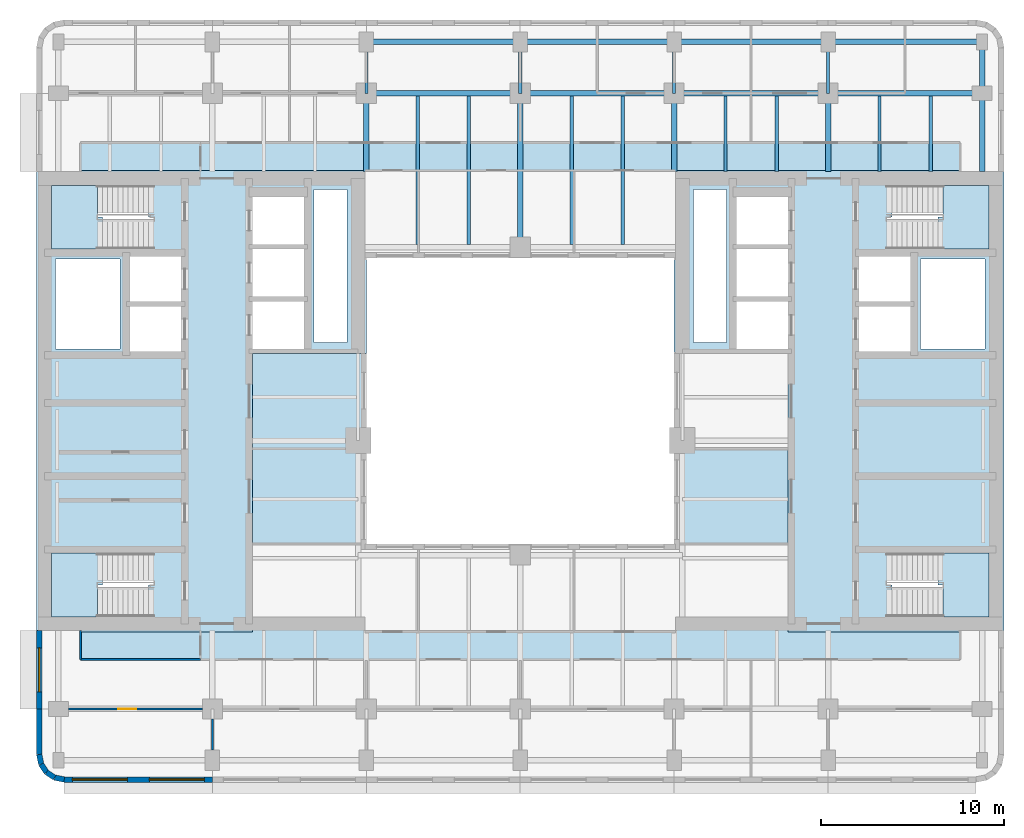
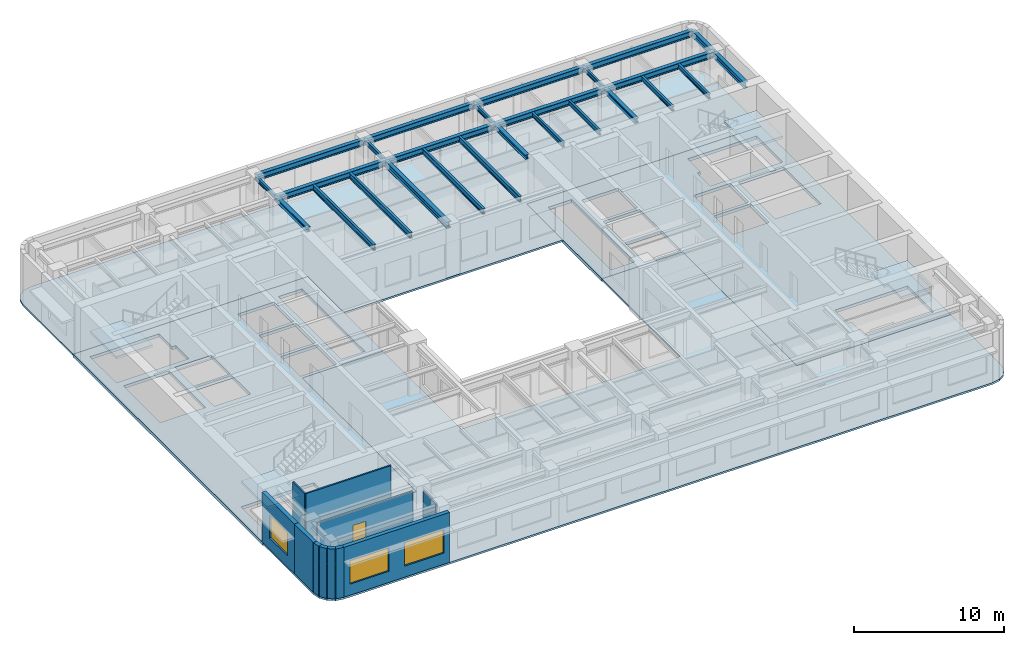
# One storey, part 2 of 12: 26 beams, 11 walls, 8 slabs, 3 windows, 1 door, 4 openings, 4 elements without a shape of their own.
"""IFC4 building model written with IfcOpenShell, lengths in metres."""

from ifc_helpers import new_model, si_unit, direction, frame, frame_2d, origin, origin_2d, place, context, subcontext, project, spatial, polyline, rectangle, i_section, outline, extrude, material, layer, layer_set, material_profile, profile_set, type_object, element, fill, aggregate, save


model = new_model("IFC4")

# Units and contexts
model_context = context("Model", 3, precision=1e-05, world=origin(), true_north=direction((0.0, 1.0)))
body_context = subcontext(model_context, "Body", "Model", "MODEL_VIEW")
ifc_project = project(units=[si_unit("LENGTHUNIT", "METRE"), si_unit("AREAUNIT", "SQUARE_METRE"), si_unit("VOLUMEUNIT", "CUBIC_METRE"), si_unit("PLANEANGLEUNIT", "RADIAN"), si_unit("MASSUNIT", "GRAM", prefix="KILO")], contexts=[model_context])

# Site, building, storey
site_placement = place(None, origin())
site = spatial("IfcSite", under=ifc_project, at=site_placement, CompositionType="ELEMENT")
building_placement = place(site_placement, origin())
building = spatial("IfcBuilding", under=site, at=building_placement, Name="Claustro Exchange Tower", CompositionType="ELEMENT")
storey_placement = place(building_placement, frame((0.0, 0.0, 223.800048828125)))
storey = spatial("IfcBuildingStorey", under=building, at=storey_placement, Name="L51", CompositionType="ELEMENT", Elevation=223.800048828125)

# Beams
ifc_material_1 = material(Name="Steel S355", Category="steel")
ifc_material_profile_1 = material_profile(ifc_material_1, i_section(OverallWidth=0.169921875, OverallDepth=0.360107421875, WebThickness=0.008056640625, FlangeThickness=0.0126953125, FilletRadius=0.01806640625, at=origin_2d()), Name="IPE 360")
ifc_profile_set_1 = profile_set([ifc_material_profile_1], Name="Steel S355")
beam_type_1 = type_object("IfcBeamType", Name="B16 IPE 360 short-span beam", PredefinedType="BEAM", material=ifc_profile_set_1)
for number, where, z_axis, x_axis, name in (
    (1, (16.800048828125, 42.0, 3.869873046875), (0.0, 1.0, 0.0), (-1.0, 0.0, 0.0), "Beam B16 L52"),
    (2, (25.199951171875, 42.0, 3.869873046875), (0.0, 1.0, 0.0), (-1.0, 0.0, 0.0), "Beam B16 L52"),
    (3, (33.60009765625, 42.0, 3.869873046875), (0.0, 1.0, 0.0), (-1.0, 0.0, 0.0), "Beam B16 L52"),
    (4, (42.0, 42.0, 3.869873046875), (0.0, 1.0, 0.0), (-1.0, 0.0, 0.0), "Beam B16 L52"),
):
    element("IfcBeam", number, at=place(storey_placement, frame(where, z_axis=z_axis, x_axis=x_axis)), inside=storey, type_object=beam_type_1, Name=name, PredefinedType="BEAM", context=body_context, shape_type="SweptSolid", body=[
        extrude(i_section(OverallWidth=0.169921875, OverallDepth=0.360107421875, WebThickness=0.008056640625, FlangeThickness=0.0126953125, FilletRadius=0.01806640625, at=origin_2d()), origin(), (0.0, 0.0, 1.0), 2.800048828125),
    ])
for number, where, z_axis, x_axis, name in (
    (5, (36.39990234375, 37.72509765625, 3.869873046875), (0.0, 1.0, 0.0), (-1.0, 0.0, 0.0), "Beam B16 L52"),
    (6, (39.199951171875, 37.72509765625, 3.869873046875), (0.0, 1.0, 0.0), (-1.0, 0.0, 0.0), "Beam B16 L52"),
    (7, (44.800048828125, 37.72509765625, 3.869873046875), (0.0, 1.0, 0.0), (-1.0, 0.0, 0.0), "Beam B16 L52"),
    (8, (47.60009765625, 37.72509765625, 3.869873046875), (0.0, 1.0, 0.0), (-1.0, 0.0, 0.0), "Beam B16 L52"),
):
    element("IfcBeam", number, at=place(storey_placement, frame(where, z_axis=z_axis, x_axis=x_axis)), inside=storey, type_object=beam_type_1, Name=name, PredefinedType="BEAM", context=body_context, shape_type="SweptSolid", body=[
        extrude(i_section(OverallWidth=0.169921875, OverallDepth=0.360107421875, WebThickness=0.008056640625, FlangeThickness=0.0126953125, FilletRadius=0.01806640625, at=origin_2d()), origin(), (0.0, 0.0, 1.0), 4.125),
    ])
ifc_material_2 = material(Name="Steel S355", Category="steel")
ifc_material_profile_2 = material_profile(ifc_material_2, i_section(OverallWidth=0.300048828125, OverallDepth=0.360107421875, WebThickness=0.012451171875, FlangeThickness=0.0224609375, FilletRadius=0.027099609375, at=origin_2d()), Name="HE 360 B")
ifc_profile_set_2 = profile_set([ifc_material_profile_2], Name="Steel S355")
beam_type_2 = type_object("IfcBeamType", Name="B29 HE 360 B column to core link beam", PredefinedType="BEAM", material=ifc_profile_set_2)
for number, where, z_axis, x_axis, name in (
    (9, (16.800048828125, 37.72509765625, 3.869873046875), (0.0, 1.0, 0.0), (-1.0, 0.0, 0.0), "Beam B29 L52"),
    (10, (33.60009765625, 37.72509765625, 3.869873046875), (0.0, 1.0, 0.0), (-1.0, 0.0, 0.0), "Beam B29 L52"),
    (11, (42.0, 37.72509765625, 3.869873046875), (0.0, 1.0, 0.0), (-1.0, 0.0, 0.0), "Beam B29 L52"),
):
    element("IfcBeam", number, at=place(storey_placement, frame(where, z_axis=z_axis, x_axis=x_axis)), inside=storey, type_object=beam_type_2, Name=name, PredefinedType="BEAM", context=body_context, shape_type="SweptSolid", body=[
        extrude(i_section(OverallWidth=0.300048828125, OverallDepth=0.360107421875, WebThickness=0.012451171875, FlangeThickness=0.0224609375, FilletRadius=0.027099609375, at=origin_2d()), origin(), (0.0, 0.0, 1.0), 4.27490234375),
    ])
ifc_material_3 = material(Name="Steel S355", Category="steel")
ifc_material_profile_3 = material_profile(ifc_material_3, i_section(OverallWidth=0.300048828125, OverallDepth=0.5, WebThickness=0.014404296875, FlangeThickness=0.028076171875, FilletRadius=0.027099609375, at=origin_2d()), Name="HE 500 B")
ifc_profile_set_3 = profile_set([ifc_material_profile_3], Name="Steel S355")
beam_type_3 = type_object("IfcBeamType", Name="B7 HE 500 B floor girder", PredefinedType="BEAM", material=ifc_profile_set_3)
for number, where, z_axis, x_axis, name in (
    (12, (25.199951171875, 33.60009765625, 3.800048828125), (0.0, 1.0, 0.0), (-1.0, 0.0, 0.0), "Beam B7 L52"),
    (13, (16.800048828125, 42.0, 3.800048828125), (1.0, 0.0, 0.0), (0.0, 1.0, 0.0), "Beam B7 L52"),
):
    element("IfcBeam", number, at=place(storey_placement, frame(where, z_axis=z_axis, x_axis=x_axis)), inside=storey, type_object=beam_type_3, Name=name, PredefinedType="BEAM", context=body_context, shape_type="SweptSolid", body=[
        extrude(i_section(OverallWidth=0.300048828125, OverallDepth=0.5, WebThickness=0.014404296875, FlangeThickness=0.028076171875, FilletRadius=0.027099609375, at=origin_2d()), origin(), (0.0, 0.0, 1.0), 8.39990234375),
    ])
beam_1_placement = place(storey_placement, frame((25.199951171875, 42.0, 3.800048828125), z_axis=(1.0, 0.0, 0.0), x_axis=(0.0, 1.0, 0.0)))
element("IfcBeam", 14, at=beam_1_placement, inside=storey, type_object=beam_type_3, Name="Beam B7 L52", PredefinedType="BEAM", context=body_context, shape_type="SweptSolid", body=[
    extrude(i_section(OverallWidth=0.300048828125, OverallDepth=0.5, WebThickness=0.014404296875, FlangeThickness=0.028076171875, FilletRadius=0.027099609375, at=origin_2d()), origin(), (0.0, 0.0, 1.0), 8.400146484375),
])
for number, where, z_axis, x_axis, name in (
    (15, (33.60009765625, 42.0, 3.800048828125), (1.0, 0.0, 0.0), (0.0, 1.0, 0.0), "Beam B7 L52"),
    (16, (42.0, 42.0, 3.800048828125), (1.0, 0.0, 0.0), (0.0, 1.0, 0.0), "Beam B7 L52"),
):
    element("IfcBeam", number, at=place(storey_placement, frame(where, z_axis=z_axis, x_axis=x_axis)), inside=storey, type_object=beam_type_3, Name=name, PredefinedType="BEAM", context=body_context, shape_type="SweptSolid", body=[
        extrude(i_section(OverallWidth=0.300048828125, OverallDepth=0.5, WebThickness=0.014404296875, FlangeThickness=0.028076171875, FilletRadius=0.027099609375, at=origin_2d()), origin(), (0.0, 0.0, 1.0), 8.39990234375),
    ])
ifc_material_4 = material(Name="Steel S355", Category="steel")
ifc_material_profile_4 = material_profile(ifc_material_4, i_section(OverallWidth=0.18994140625, OverallDepth=0.449951171875, WebThickness=0.009521484375, FlangeThickness=0.0146484375, FilletRadius=0.02099609375, at=origin_2d()), Name="IPE 450")
ifc_profile_set_4 = profile_set([ifc_material_profile_4], Name="Steel S355")
beam_type_4 = type_object("IfcBeamType", Name="B8 IPE 450 secondary beam", PredefinedType="BEAM", material=ifc_profile_set_4)
for number, where, z_axis, x_axis, name in (
    (17, (19.60009765625, 33.75, 3.824951171875), (0.0, 1.0, 0.0), (-1.0, 0.0, 0.0), "Beam B8 L52"),
    (18, (22.39990234375, 33.75, 3.824951171875), (0.0, 1.0, 0.0), (-1.0, 0.0, 0.0), "Beam B8 L52"),
    (19, (28.0, 33.75, 3.824951171875), (0.0, 1.0, 0.0), (-1.0, 0.0, 0.0), "Beam B8 L52"),
    (20, (30.800048828125, 33.75, 3.824951171875), (0.0, 1.0, 0.0), (-1.0, 0.0, 0.0), "Beam B8 L52"),
):
    element("IfcBeam", number, at=place(storey_placement, frame(where, z_axis=z_axis, x_axis=x_axis)), inside=storey, type_object=beam_type_4, Name=name, PredefinedType="BEAM", context=body_context, shape_type="SweptSolid", body=[
        extrude(i_section(OverallWidth=0.18994140625, OverallDepth=0.449951171875, WebThickness=0.009521484375, FlangeThickness=0.0146484375, FilletRadius=0.02099609375, at=origin_2d()), origin(), (0.0, 0.0, 1.0), 8.10009765625),
    ])
ifc_material_5 = material(Name="Steel S355", Category="steel")
ifc_material_profile_5 = material_profile(ifc_material_5, i_section(OverallWidth=0.300048828125, OverallDepth=0.489990234375, WebThickness=0.011962890625, FlangeThickness=0.02294921875, FilletRadius=0.027099609375, at=origin_2d()), Name="HE 500 A")
ifc_profile_set_5 = profile_set([ifc_material_profile_5], Name="Steel S355")
beam_type_5 = type_object("IfcBeamType", Name="B9 HE 500 A spandrel edge girder", PredefinedType="SPANDREL", material=ifc_profile_set_5)
beam_2_placement = place(storey_placement, frame((50.39990234375, 37.72509765625, 3.804931640625), z_axis=(0.0, 1.0, 0.0), x_axis=(-1.0, 0.0, 0.0)))
element("IfcBeam", 21, at=beam_2_placement, inside=storey, type_object=beam_type_5, Name="Beam B9 L52", PredefinedType="SPANDREL", context=body_context, shape_type="SweptSolid", body=[
    extrude(i_section(OverallWidth=0.300048828125, OverallDepth=0.489990234375, WebThickness=0.011962890625, FlangeThickness=0.02294921875, FilletRadius=0.027099609375, at=origin_2d()), origin(), (0.0, 0.0, 1.0), 4.27490234375),
])
beam_3_placement = place(storey_placement, frame((50.39990234375, 42.0, 3.804931640625), z_axis=(0.0, 1.0, 0.0), x_axis=(-1.0, 0.0, 0.0)))
element("IfcBeam", 22, at=beam_3_placement, inside=storey, type_object=beam_type_5, Name="Beam B9 L52", PredefinedType="SPANDREL", context=body_context, shape_type="SweptSolid", body=[
    extrude(i_section(OverallWidth=0.300048828125, OverallDepth=0.489990234375, WebThickness=0.011962890625, FlangeThickness=0.02294921875, FilletRadius=0.027099609375, at=origin_2d()), origin(), (0.0, 0.0, 1.0), 2.800048828125),
])
beam_4_placement = place(storey_placement, frame((16.800048828125, 44.800048828125, 3.804931640625), z_axis=(1.0, 0.0, 0.0), x_axis=(0.0, 1.0, 0.0)))
element("IfcBeam", 23, at=beam_4_placement, inside=storey, type_object=beam_type_5, Name="Beam B9 L52", PredefinedType="SPANDREL", context=body_context, shape_type="SweptSolid", body=[
    extrude(i_section(OverallWidth=0.300048828125, OverallDepth=0.489990234375, WebThickness=0.011962890625, FlangeThickness=0.02294921875, FilletRadius=0.027099609375, at=origin_2d()), origin(), (0.0, 0.0, 1.0), 8.39990234375),
])
beam_5_placement = place(storey_placement, frame((25.199951171875, 44.800048828125, 3.804931640625), z_axis=(1.0, 0.0, 0.0), x_axis=(0.0, 1.0, 0.0)))
element("IfcBeam", 24, at=beam_5_placement, inside=storey, type_object=beam_type_5, Name="Beam B9 L52", PredefinedType="SPANDREL", context=body_context, shape_type="SweptSolid", body=[
    extrude(i_section(OverallWidth=0.300048828125, OverallDepth=0.489990234375, WebThickness=0.011962890625, FlangeThickness=0.02294921875, FilletRadius=0.027099609375, at=origin_2d()), origin(), (0.0, 0.0, 1.0), 8.400146484375),
])
for number, where, z_axis, x_axis, name in (
    (25, (33.60009765625, 44.800048828125, 3.804931640625), (1.0, 0.0, 0.0), (0.0, 1.0, 0.0), "Beam B9 L52"),
    (26, (42.0, 44.800048828125, 3.804931640625), (1.0, 0.0, 0.0), (0.0, 1.0, 0.0), "Beam B9 L52"),
):
    element("IfcBeam", number, at=place(storey_placement, frame(where, z_axis=z_axis, x_axis=x_axis)), inside=storey, type_object=beam_type_5, Name=name, PredefinedType="SPANDREL", context=body_context, shape_type="SweptSolid", body=[
        extrude(i_section(OverallWidth=0.300048828125, OverallDepth=0.489990234375, WebThickness=0.011962890625, FlangeThickness=0.02294921875, FilletRadius=0.027099609375, at=origin_2d()), origin(), (0.0, 0.0, 1.0), 8.39990234375),
    ])

# Slabs
ifc_material_6 = material(Name="Concrete HA-50 (C50/60)", Category="concrete")
ifc_layer_1 = layer(ifc_material_6, 0.14990234375)
ifc_layer_set_1 = layer_set([ifc_layer_1], Name="Concrete HA-50 (C50/60)")
slab_type_1 = type_object("IfcSlabType", Name="S2 150 composite floor slab", PredefinedType="FLOOR", material=ifc_layer_set_1)
slab_1_placement = place(storey_placement, frame((0.0, 0.0, -0.150146484375)))
element("IfcSlab", 27, at=slab_1_placement, inside=storey, type_object=slab_type_1, Name="Floor slab S2 S L51", PredefinedType="FLOOR", context=body_context, shape_type="SweptSolid", body=[
    extrude(outline(polyline([(-0.27392578125, 4.51416015625), (0.300048828125, 4.39990234375), (50.10009765625, 4.39990234375), (50.674072265625, 4.51416015625), (51.16064453125, 4.83935546875), (51.48583984375, 5.325927734375), (51.60009765625, 5.89990234375), (51.60009765625, 12.60009765625), (39.800048828125, 12.60009765625), (39.800048828125, 27.800048828125), (33.60009765625, 27.800048828125), (33.60009765625, 17.39990234375), (16.800048828125, 17.39990234375), (16.800048828125, 27.800048828125), (10.60009765625, 27.800048828125), (10.60009765625, 12.60009765625), (-1.199951171875, 12.60009765625), (-1.199951171875, 5.89990234375), (-1.085693359375, 5.325927734375), (-0.7607421875, 4.83935546875), (-0.27392578125, 4.51416015625)])), origin(), (0.0, 0.0, 1.0), 0.150146484375),
])
slab_2_placement = place(storey_placement, frame((0.0, 0.0, -0.150146484375)))
element("IfcSlab", 28, at=slab_2_placement, inside=storey, type_object=slab_type_1, Name="Floor slab S2 N L51", PredefinedType="FLOOR", context=body_context, shape_type="SweptSolid", body=[
    extrude(outline(polyline([(16.800048828125, 37.800048828125), (16.800048828125, 33.0), (33.60009765625, 33.0), (33.60009765625, 37.800048828125), (51.60009765625, 37.800048828125), (51.60009765625, 44.5), (51.48583984375, 45.073974609375), (51.16064453125, 45.560791015625), (50.674072265625, 45.8857421875), (50.10009765625, 46.0), (0.300048828125, 46.0), (-0.27392578125, 45.8857421875), (-0.7607421875, 45.560791015625), (-1.085693359375, 45.073974609375), (-1.199951171875, 44.5), (-1.199951171875, 37.800048828125), (16.800048828125, 37.800048828125)])), origin(), (0.0, 0.0, 1.0), 0.150146484375),
])
ifc_material_7 = material(Name="Concrete HA-50 (C50/60)", Category="concrete")
ifc_layer_2 = layer(ifc_material_7, 0.25)
ifc_layer_set_2 = layer_set([ifc_layer_2], Name="Concrete HA-50 (C50/60)")
slab_type_2 = type_object("IfcSlabType", Name="S7 250 core floor slab", PredefinedType="FLOOR", material=ifc_layer_set_2)
slab_3_placement = place(storey_placement, frame((0.0, 0.0, -0.25)))
element("IfcSlab", 29, at=slab_3_placement, inside=storey, type_object=slab_type_2, Name="Core floor slab S7 W core L51", PredefinedType="FLOOR", context=body_context, shape_type="SweptSolid", body=[
    extrude(outline(polyline([(-1.199951171875, 37.800048828125), (-1.199951171875, 12.60009765625), (10.60009765625, 12.60009765625), (10.60009765625, 27.800048828125), (16.800048828125, 27.800048828125), (16.800048828125, 37.800048828125), (-1.199951171875, 37.800048828125)]), holes=[polyline([(13.949951171875, 36.75), (15.75, 36.75), (15.75, 28.39990234375), (13.949951171875, 28.39990234375), (13.949951171875, 36.75)]), polyline([(10.60009765625, 30.64990234375), (13.39990234375, 30.64990234375), (13.39990234375, 28.050048828125), (10.60009765625, 28.050048828125), (10.60009765625, 30.64990234375)]), polyline([(10.60009765625, 33.5), (13.39990234375, 33.5), (13.39990234375, 30.89990234375), (10.60009765625, 30.89990234375), (10.60009765625, 33.5)]), polyline([(13.39990234375, 36.35009765625), (13.39990234375, 33.75), (10.60009765625, 33.75), (10.60009765625, 36.35009765625), (13.39990234375, 36.35009765625)]), polyline([(3.89990234375, 30.375), (6.699951171875, 30.375), (6.699951171875, 27.89990234375), (3.89990234375, 27.89990234375), (3.89990234375, 30.375)]), polyline([(3.89990234375, 33.10009765625), (6.699951171875, 33.10009765625), (6.699951171875, 30.625), (3.89990234375, 30.625), (3.89990234375, 33.10009765625)]), polyline([(-0.375, 15.16259765625), (-0.375, 16.89990234375), (5.195068359375, 16.89990234375), (5.195068359375, 15.16259765625), (4.919921875, 15.16259765625), (4.919921875, 13.425048828125), (-0.375, 13.425048828125), (-0.375, 15.16259765625)]), polyline([(-0.375, 35.237548828125), (-0.375, 36.97509765625), (4.919921875, 36.97509765625), (4.919921875, 35.237548828125), (5.195068359375, 35.237548828125), (5.195068359375, 33.5), (-0.375, 33.5), (-0.375, 35.237548828125)]), polyline([(-0.14990234375, 32.949951171875), (3.35009765625, 32.949951171875), (3.35009765625, 28.050048828125), (-0.14990234375, 28.050048828125), (-0.14990234375, 32.949951171875)])]), origin(), (0.0, 0.0, 1.0), 0.25),
])
slab_4_placement = place(storey_placement, frame((0.0, 0.0, -0.25)))
element("IfcSlab", 30, at=slab_4_placement, inside=storey, type_object=slab_type_2, Name="Core floor slab S7 E core L51", PredefinedType="FLOOR", context=body_context, shape_type="SweptSolid", body=[
    extrude(outline(polyline([(51.60009765625, 37.800048828125), (33.60009765625, 37.800048828125), (33.60009765625, 27.800048828125), (39.800048828125, 27.800048828125), (39.800048828125, 12.60009765625), (51.60009765625, 12.60009765625), (51.60009765625, 37.800048828125)]), holes=[polyline([(45.47998046875, 15.16259765625), (45.205078125, 15.16259765625), (45.205078125, 16.89990234375), (50.77490234375, 16.89990234375), (50.77490234375, 15.16259765625), (50.77490234375, 13.425048828125), (45.47998046875, 13.425048828125), (45.47998046875, 15.16259765625)]), polyline([(45.47998046875, 35.237548828125), (45.47998046875, 36.97509765625), (50.77490234375, 36.97509765625), (50.77490234375, 35.237548828125), (50.77490234375, 33.5), (45.205078125, 33.5), (45.205078125, 35.237548828125), (45.47998046875, 35.237548828125)]), polyline([(47.050048828125, 32.949951171875), (50.550048828125, 32.949951171875), (50.550048828125, 28.050048828125), (47.050048828125, 28.050048828125), (47.050048828125, 32.949951171875)]), polyline([(43.699951171875, 30.375), (46.5, 30.375), (46.5, 27.89990234375), (43.699951171875, 27.89990234375), (43.699951171875, 30.375)]), polyline([(43.699951171875, 33.10009765625), (46.5, 33.10009765625), (46.5, 30.625), (43.699951171875, 30.625), (43.699951171875, 33.10009765625)]), polyline([(37.0, 30.64990234375), (39.800048828125, 30.64990234375), (39.800048828125, 28.050048828125), (37.0, 28.050048828125), (37.0, 30.64990234375)]), polyline([(37.0, 33.5), (39.800048828125, 33.5), (39.800048828125, 30.89990234375), (37.0, 30.89990234375), (37.0, 33.5)]), polyline([(39.800048828125, 36.35009765625), (39.800048828125, 33.75), (37.0, 33.75), (37.0, 36.35009765625), (39.800048828125, 36.35009765625)]), polyline([(34.64990234375, 36.75), (36.449951171875, 36.75), (36.449951171875, 28.39990234375), (34.64990234375, 28.39990234375), (34.64990234375, 36.75)])]), origin(), (0.0, 0.0, 1.0), 0.25),
])

# Stair, slab
ifc_material_8 = material(Name="Concrete HA-30 (C30/37), precast", Category="concrete")
stair_type = type_object("IfcStairType", Name="ST1 half-turn stair, 24 risers of 175", PredefinedType="HALF_TURN_STAIR", material=ifc_material_8)
stair_1_placement = place(storey_placement, origin())
stair_1 = element("IfcStair", 31, at=stair_1_placement, inside=storey, type_object=stair_type, Name="Stair STWA L51", PredefinedType="HALF_TURN_STAIR")
ifc_material_9 = material(Name="Concrete HA-30 (C30/37), precast", Category="concrete")
ifc_layer_3 = layer(ifc_material_9, 0.199951171875)
ifc_layer_set_3 = layer_set([ifc_layer_3], Name="Concrete HA-30 (C30/37), precast")
slab_type_3 = type_object("IfcSlabType", Name="S9 200 stair landing", PredefinedType="LANDING", material=ifc_layer_set_3)
slab_5_placement = place(storey_placement, frame((0.0, 0.0, 1.89990234375)))
slab_5 = element("IfcSlab", 32, at=slab_5_placement, type_object=slab_type_3, Name="STWA landing 1", PredefinedType="LANDING", context=body_context, shape_type="SweptSolid", body=[
    extrude(outline(polyline([(2.125, 13.425048828125), (-0.375, 13.425048828125), (-0.375, 16.89990234375), (2.1201171875, 16.89990234375), (2.125, 16.89990234375), (2.39990234375, 16.89990234375), (2.39990234375, 15.16259765625), (2.125, 15.16259765625), (2.125, 13.425048828125)])), origin(), (0.0, 0.0, 1.0), 0.199951171875),
])
aggregate(stair_1, [slab_5])

stair_2_placement = place(storey_placement, origin())
stair_2 = element("IfcStair", 33, at=stair_2_placement, inside=storey, type_object=stair_type, Name="Stair STWB L51", PredefinedType="HALF_TURN_STAIR")
slab_6_placement = place(storey_placement, frame((0.0, 0.0, 1.89990234375)))
slab_6 = element("IfcSlab", 34, at=slab_6_placement, type_object=slab_type_3, Name="STWB landing 1", PredefinedType="LANDING", context=body_context, shape_type="SweptSolid", body=[
    extrude(outline(polyline([(2.39990234375, 35.237548828125), (2.39990234375, 33.5), (2.125, 33.5), (2.1201171875, 33.5), (-0.375, 33.5), (-0.375, 36.97509765625), (2.125, 36.97509765625), (2.125, 35.237548828125), (2.39990234375, 35.237548828125)])), origin(), (0.0, 0.0, 1.0), 0.199951171875),
])
aggregate(stair_2, [slab_6])

stair_3_placement = place(storey_placement, origin())
stair_3 = element("IfcStair", 35, at=stair_3_placement, inside=storey, type_object=stair_type, Name="Stair STEA L51", PredefinedType="HALF_TURN_STAIR")
slab_7_placement = place(storey_placement, frame((0.0, 0.0, 1.89990234375)))
slab_7 = element("IfcSlab", 36, at=slab_7_placement, type_object=slab_type_3, Name="STEA landing 1", PredefinedType="LANDING", context=body_context, shape_type="SweptSolid", body=[
    extrude(outline(polyline([(50.77490234375, 16.89990234375), (50.77490234375, 13.425048828125), (48.27490234375, 13.425048828125), (48.27490234375, 15.16259765625), (48.0, 15.16259765625), (48.0, 16.89990234375), (48.27490234375, 16.89990234375), (48.280029296875, 16.89990234375), (50.77490234375, 16.89990234375)])), origin(), (0.0, 0.0, 1.0), 0.199951171875),
])
aggregate(stair_3, [slab_7])

stair_4_placement = place(storey_placement, origin())
stair_4 = element("IfcStair", 37, at=stair_4_placement, inside=storey, type_object=stair_type, Name="Stair STEB L51", PredefinedType="HALF_TURN_STAIR")
slab_8_placement = place(storey_placement, frame((0.0, 0.0, 1.89990234375)))
slab_8 = element("IfcSlab", 38, at=slab_8_placement, type_object=slab_type_3, Name="STEB landing 1", PredefinedType="LANDING", context=body_context, shape_type="SweptSolid", body=[
    extrude(outline(polyline([(48.0, 33.5), (48.0, 35.237548828125), (48.27490234375, 35.237548828125), (48.27490234375, 36.97509765625), (50.77490234375, 36.97509765625), (50.77490234375, 33.5), (48.280029296875, 33.5), (48.27490234375, 33.5), (48.0, 33.5)])), origin(), (0.0, 0.0, 1.0), 0.199951171875),
])
aggregate(stair_4, [slab_8])

# Wall, opening, door
ifc_material_10 = material(Name="Laminated glass in aluminium frame", Category="aluminium")
ifc_layer_4 = layer(ifc_material_10, 0.1201171875)
ifc_layer_set_4 = layer_set([ifc_layer_4], Name="Laminated glass in aluminium frame")
wall_type_1 = type_object("IfcWallType", Name="P2 120 glazed partition", PredefinedType="PARTITIONING", material=ifc_layer_set_4)
wall_1_placement = place(storey_placement, frame((0.549072265625, 8.39990234375, 0.0), z_axis=(0.0, 0.0, 1.0), x_axis=(1.0, 0.0, 0.0)))
wall_1 = element("IfcWall", 39, at=wall_1_placement, inside=storey, type_object=wall_type_1, Name="Partition P2 L51", PredefinedType="PARTITIONING", context=body_context, shape_type="SweptSolid", body=[
    extrude(rectangle(XDim=7.302001953125, YDim=0.1201171875, at=frame_2d((3.65087890625, 0.0))), origin(), (0.0, 0.0, 1.0), 3.550048828125),
])
opening_1_placement = place(wall_1_placement, frame((2.700927734375, 0.0, 0.0)))
opening_1 = element("IfcOpeningElement", 40, at=opening_1_placement, cuts=wall_1, Name="Opening D7", PredefinedType="OPENING", context=body_context, shape_type="SweptSolid", body=[
    extrude(rectangle(XDim=1.0, YDim=2.39990234375, at=frame_2d((0.5, 1.199951171875))), frame((0.0, 0.070068359375, 0.0), z_axis=(0.0, -1.0, 0.0), x_axis=(1.0, 0.0, 0.0)), (0.0, 0.0, 1.0), 0.14013671875),
])
ifc_material_11 = material(Name="Glass door in aluminium frame", Category="aluminium")
door_type = type_object("IfcDoorType", Name="D7 1000 x 2400 glazed door", OperationType="SINGLE_SWING_LEFT", PredefinedType="DOOR", material=ifc_material_11)
door_placement = place(opening_1_placement, frame((1.0, 0.0, 0.0), z_axis=(0.0, 0.0, 1.0), x_axis=(-1.0, 0.0, 0.0)))
door = element("IfcDoor", 41, at=door_placement, inside=storey, type_object=door_type, Name="Door D7 L51", OperationType="SINGLE_SWING_LEFT", OverallHeight=2.39990234375, OverallWidth=1.0, PredefinedType="DOOR", context=body_context, shape_type="SweptSolid", body=[
    extrude(rectangle(XDim=1.0, YDim=2.39990234375, at=frame_2d((0.5, 1.199951171875))), frame((0.0, 0.02490234375, 0.0), z_axis=(0.0, -1.0, 0.0), x_axis=(1.0, 0.0, 0.0)), (0.0, 0.0, 1.0), 0.050048828125),
])
fill(opening_1, door)

# Walls
wall_2_placement = place(storey_placement, frame((8.39990234375, 6.14892578125, 0.0), z_axis=(0.0, 0.0, 1.0), x_axis=(0.0, 1.0, 0.0)))
element("IfcWall", 42, at=wall_2_placement, inside=storey, type_object=wall_type_1, Name="Partition P2 L51", PredefinedType="PARTITIONING", context=body_context, shape_type="SweptSolid", body=[
    extrude(rectangle(XDim=1.7021484375, YDim=0.1201171875, at=frame_2d((0.85107421875, 0.0))), origin(), (0.0, 0.0, 1.0), 3.68994140625),
])
wall_3_placement = place(storey_placement, frame((1.199951171875, 11.10009765625, 0.0), z_axis=(0.0, 0.0, 1.0), x_axis=(1.0, 0.0, 0.0)))
element("IfcWall", 43, at=wall_3_placement, inside=storey, type_object=wall_type_1, Name="Partition P2 L51", PredefinedType="PARTITIONING", context=body_context, shape_type="SweptSolid", body=[
    extrude(rectangle(XDim=6.552001953125, YDim=0.1201171875, at=frame_2d((3.27587890625, 0.0))), origin(), (0.0, 0.0, 1.0), 4.050048828125),
])
wall_4_placement = place(storey_placement, frame((1.199951171875, 11.10009765625, 0.0), z_axis=(0.0, 0.0, 1.0), x_axis=(0.0, 1.0, 0.0)))
element("IfcWall", 44, at=wall_4_placement, inside=storey, type_object=wall_type_1, Name="Partition P2 L51", PredefinedType="PARTITIONING", context=body_context, shape_type="SweptSolid", body=[
    extrude(rectangle(XDim=1.575927734375, YDim=0.1201171875, at=frame_2d((0.7880859375, 0.0))), origin(), (0.0, 0.0, 1.0), 4.050048828125),
])

# Wall, openings, windows
ifc_material_12 = material(Name="Concrete HA-40 (C40/50), precast, white cement, acid-etched", Category="concrete")
ifc_layer_5 = layer(ifc_material_12, 0.300048828125)
ifc_layer_set_5 = layer_set([ifc_layer_5], Name="Concrete HA-40 (C40/50), precast, white cement, acid-etched")
wall_type_2 = type_object("IfcWallType", Name="PC1 300 precast concrete pier panel", PredefinedType="SOLIDWALL", material=ifc_layer_set_5)
wall_5_placement = place(storey_placement, frame((8.39990234375, 4.550048828125, 0.0), z_axis=(0.0, 0.0, 1.0), x_axis=(-1.0, 0.0, 0.0)))
wall_5 = element("IfcWall", 45, at=wall_5_placement, inside=storey, type_object=wall_type_2, Name="Precast pier panel PC1 L51", PredefinedType="SOLIDWALL", context=body_context, shape_type="SweptSolid", body=[
    extrude(rectangle(XDim=8.085205078125, YDim=0.300048828125, at=frame_2d((4.04248046875, 0.0))), origin(), (0.0, 0.0, 1.0), 4.050048828125),
])
opening_2_placement = place(wall_5_placement, frame((0.442626953125, 0.0, 0.89990234375)))
opening_2 = element("IfcOpeningElement", 46, at=opening_2_placement, cuts=wall_5, Name="Opening W1", PredefinedType="OPENING", context=body_context, shape_type="SweptSolid", body=[
    extrude(rectangle(XDim=3.0, YDim=1.89990234375, at=frame_2d((1.5, 0.949951171875))), frame((0.0, 0.159912109375, 0.0), z_axis=(0.0, -1.0, 0.0), x_axis=(1.0, 0.0, 0.0)), (0.0, 0.0, 1.0), 0.320068359375),
])
opening_3_placement = place(wall_5_placement, frame((4.642578125, 0.0, 0.89990234375)))
opening_3 = element("IfcOpeningElement", 47, at=opening_3_placement, cuts=wall_5, Name="Opening W1", PredefinedType="OPENING", context=body_context, shape_type="SweptSolid", body=[
    extrude(rectangle(XDim=3.0, YDim=1.89990234375, at=frame_2d((1.5, 0.949951171875))), frame((0.0, 0.159912109375, 0.0), z_axis=(0.0, -1.0, 0.0), x_axis=(1.0, 0.0, 0.0)), (0.0, 0.0, 1.0), 0.320068359375),
])
ifc_material_13 = material(Name="Aluminium frame, clear double glazing", Category="aluminium")
window_type_1 = type_object("IfcWindowType", Name="W1 3000 x 1900 window", PartitioningType="SINGLE_PANEL", PredefinedType="WINDOW", material=ifc_material_13)
window_1_placement = place(opening_2_placement, origin())
window_1 = element("IfcWindow", 48, at=window_1_placement, inside=storey, type_object=window_type_1, Name="Window W1 L51", OverallHeight=1.89990234375, OverallWidth=3.0, PartitioningType="SINGLE_PANEL", PredefinedType="WINDOW", context=body_context, shape_type="SweptSolid", body=[
    extrude(rectangle(XDim=3.0, YDim=1.89990234375, at=frame_2d((1.5, 0.949951171875))), frame((0.0, 0.030029296875, 0.0), z_axis=(0.0, -1.0, 0.0), x_axis=(1.0, 0.0, 0.0)), (0.0, 0.0, 1.0), 0.06005859375),
])
fill(opening_2, window_1)
window_2_placement = place(opening_3_placement, origin())
window_2 = element("IfcWindow", 49, at=window_2_placement, inside=storey, type_object=window_type_1, Name="Window W1 L51", OverallHeight=1.89990234375, OverallWidth=3.0, PartitioningType="SINGLE_PANEL", PredefinedType="WINDOW", context=body_context, shape_type="SweptSolid", body=[
    extrude(rectangle(XDim=3.0, YDim=1.89990234375, at=frame_2d((1.5, 0.949951171875))), frame((0.0, 0.030029296875, 0.0), z_axis=(0.0, -1.0, 0.0), x_axis=(1.0, 0.0, 0.0)), (0.0, 0.0, 1.0), 0.06005859375),
])
fill(opening_3, window_2)

# Walls
wall_6_placement = place(storey_placement, frame((0.314697265625, 4.550048828125, 0.0), z_axis=(0.0, 0.0, 1.0), x_axis=(-0.980788534345, 0.195073962632, 0.0)))
element("IfcWall", 50, at=wall_6_placement, inside=storey, type_object=wall_type_2, Name="Precast pier panel PC1 L51", PredefinedType="SOLIDWALL", context=body_context, shape_type="SweptSolid", body=[
    extrude(rectangle(XDim=0.540771484375, YDim=0.300048828125, at=frame_2d((0.2705078125, 0.0))), origin(), (0.0, 0.0, 1.0), 4.050048828125),
])
for number, where, z_axis, x_axis, name in (
    (51, (-0.215576171875, 4.655517578125, 0.0), (0.0, 0.0, 1.0), (-0.831478144188, 0.555557463938, 0.0), "Precast pier panel PC1 L51"),
    (52, (-0.652587890625, 4.947509765625, 0.0), (0.0, 0.0, 1.0), (-0.555557463938, 0.831478144188, 0.0), "Precast pier panel PC1 L51"),
):
    element("IfcWall", number, at=place(storey_placement, frame(where, z_axis=z_axis, x_axis=x_axis)), inside=storey, type_object=wall_type_2, Name=name, PredefinedType="SOLIDWALL", context=body_context, shape_type="SweptSolid", body=[
        extrude(rectangle(XDim=0.525634765625, YDim=0.300048828125, at=frame_2d((0.2626953125, 0.0))), origin(), (0.0, 0.0, 1.0), 4.050048828125),
    ])
wall_7_placement = place(storey_placement, frame((-0.944580078125, 5.384521484375, 0.0), z_axis=(0.0, 0.0, 1.0), x_axis=(-0.195073962632, 0.980788534345, 0.0)))
element("IfcWall", 53, at=wall_7_placement, inside=storey, type_object=wall_type_2, Name="Precast pier panel PC1 L51", PredefinedType="SOLIDWALL", context=body_context, shape_type="SweptSolid", body=[
    extrude(rectangle(XDim=0.540771484375, YDim=0.300048828125, at=frame_2d((0.2705078125, 0.0))), origin(), (0.0, 0.0, 1.0), 4.050048828125),
])
wall_8_placement = place(storey_placement, frame((-1.050048828125, 5.914794921875, 0.0), z_axis=(0.0, 0.0, 1.0), x_axis=(0.0, 1.0, 0.0)))
element("IfcWall", 54, at=wall_8_placement, inside=storey, type_object=wall_type_2, Name="Precast pier panel PC1 L51", PredefinedType="SOLIDWALL", context=body_context, shape_type="SweptSolid", body=[
    extrude(rectangle(XDim=2.485107421875, YDim=0.300048828125, at=frame_2d((1.24267578125, 0.0))), origin(), (0.0, 0.0, 1.0), 4.050048828125),
])

# Wall, opening, window
wall_9_placement = place(storey_placement, frame((-1.050048828125, 8.39990234375, 0.0), z_axis=(0.0, 0.0, 1.0), x_axis=(0.0, 1.0, 0.0)))
wall_9 = element("IfcWall", 55, at=wall_9_placement, inside=storey, type_object=wall_type_2, Name="Precast pier panel PC1 L51", PredefinedType="SOLIDWALL", context=body_context, shape_type="SweptSolid", body=[
    extrude(rectangle(XDim=4.275146484375, YDim=0.300048828125, at=frame_2d((2.1376953125, 0.0))), origin(), (0.0, 0.0, 1.0), 4.050048828125),
])
opening_4_placement = place(wall_9_placement, frame((0.9375, 0.0, 0.89990234375)))
opening_4 = element("IfcOpeningElement", 56, at=opening_4_placement, cuts=wall_9, Name="Opening W2", PredefinedType="OPENING", context=body_context, shape_type="SweptSolid", body=[
    extrude(rectangle(XDim=2.39990234375, YDim=1.89990234375, at=frame_2d((1.199951171875, 0.949951171875))), frame((0.0, 0.159912109375, 0.0), z_axis=(0.0, -1.0, 0.0), x_axis=(1.0, 0.0, 0.0)), (0.0, 0.0, 1.0), 0.320068359375),
])
ifc_material_14 = material(Name="Aluminium frame, clear double glazing", Category="aluminium")
window_type_2 = type_object("IfcWindowType", Name="W2 2400 x 1900 window", PartitioningType="SINGLE_PANEL", PredefinedType="WINDOW", material=ifc_material_14)
window_3_placement = place(opening_4_placement, origin())
window_3 = element("IfcWindow", 57, at=window_3_placement, inside=storey, type_object=window_type_2, Name="Window W2 L51", OverallHeight=1.89990234375, OverallWidth=2.39990234375, PartitioningType="SINGLE_PANEL", PredefinedType="WINDOW", context=body_context, shape_type="SweptSolid", body=[
    extrude(rectangle(XDim=2.39990234375, YDim=1.89990234375, at=frame_2d((1.199951171875, 0.949951171875))), frame((0.0, 0.030029296875, 0.0), z_axis=(0.0, -1.0, 0.0), x_axis=(1.0, 0.0, 0.0)), (0.0, 0.0, 1.0), 0.06005859375),
])
fill(opening_4, window_3)

save(model, "model.ifc")
